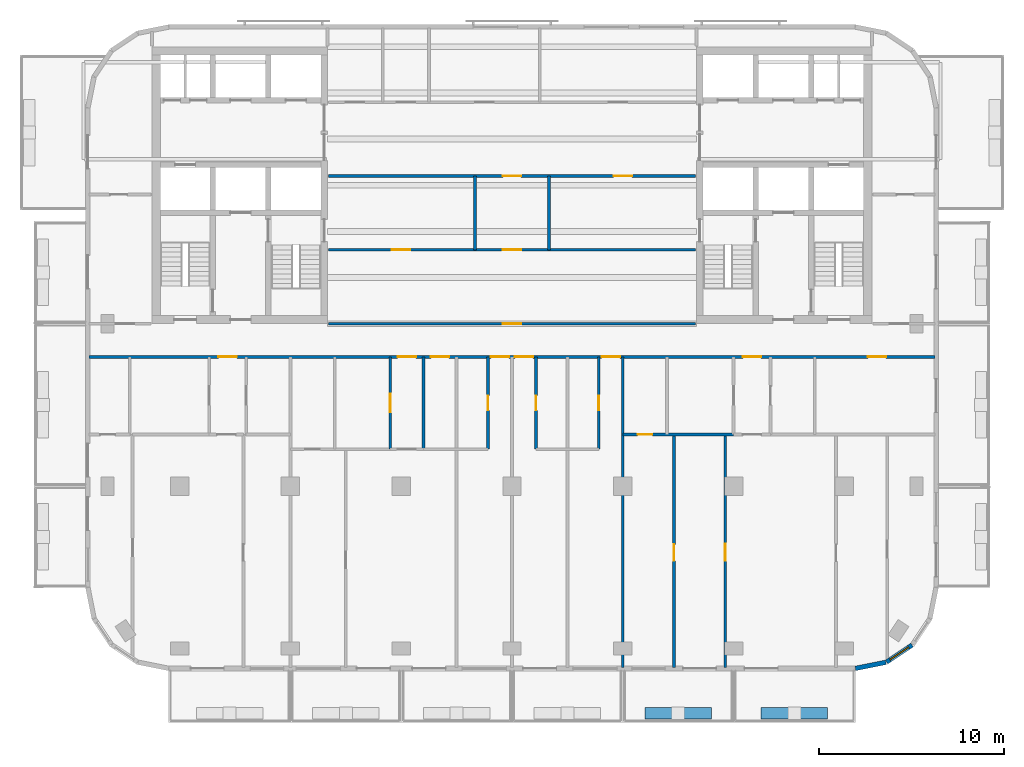
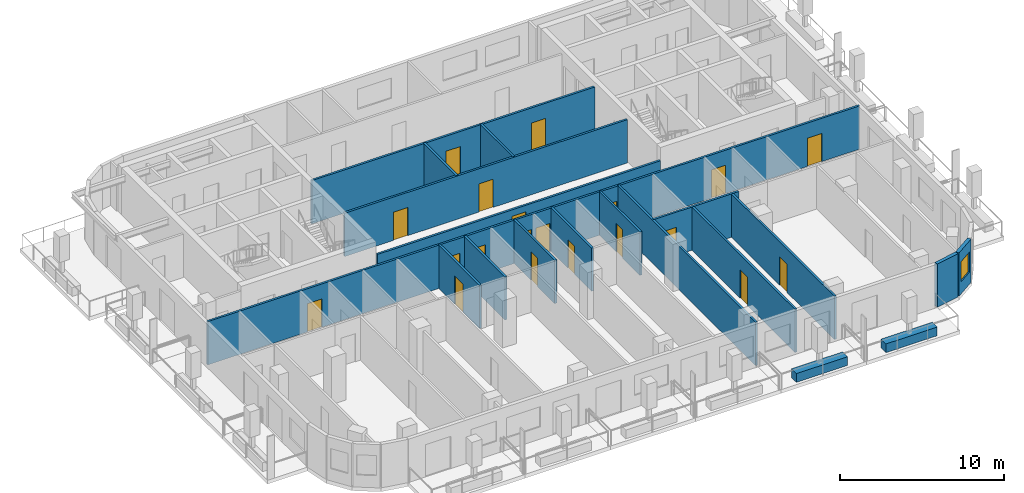
# One storey, part 4 of 11: 20 doors, 19 walls, 1 window, 21 openings.
"""IFC4 building model written with IfcOpenShell, lengths in metres."""

from ifc_helpers import new_model, si_unit, direction, frame, frame_2d, origin, place, context, subcontext, project, spatial, rectangle, extrude, material, layer, layer_set, type_object, element, fill, save


model = new_model("IFC4")

# Units and contexts
model_context = context("Model", 3, precision=1e-05, world=origin(), true_north=direction((0.0, 1.0)))
body_context = subcontext(model_context, "Body", "Model", "MODEL_VIEW")
ifc_project = project(units=[si_unit("LENGTHUNIT", "METRE"), si_unit("AREAUNIT", "SQUARE_METRE"), si_unit("VOLUMEUNIT", "CUBIC_METRE"), si_unit("PLANEANGLEUNIT", "RADIAN"), si_unit("MASSUNIT", "GRAM", prefix="KILO")], contexts=[model_context])

# Site, building, storey
site_placement = place(None, origin())
site = spatial("IfcSite", under=ifc_project, at=site_placement, CompositionType="ELEMENT")
building_placement = place(site_placement, origin())
building = spatial("IfcBuilding", under=site, at=building_placement, Name="Torana Hotel and Residences", CompositionType="ELEMENT")
storey_placement = place(building_placement, frame((0.0, 0.0, 284.10009765625)))
storey = spatial("IfcBuildingStorey", under=building, at=storey_placement, Name="L75", CompositionType="ELEMENT", Elevation=284.10009765625)

# Wall
ifc_material_1 = material(Name="Black aluminium composite panel", Category="aluminium")
ifc_layer_1 = layer(ifc_material_1, 0.00390625, Name="Cladding", Category="cladding")
ifc_material_2 = material(Name="Ventilated air cavity")
ifc_layer_2 = layer(ifc_material_2, 0.0400390625, Name="Ventilated cavity", Category="cavity")
ifc_material_3 = material(Name="Mineral wool insulation")
ifc_layer_3 = layer(ifc_material_3, 0.090087890625, Name="Insulation", Category="insulation")
ifc_material_4 = material(Name="Steel S280GD", Category="steel")
ifc_layer_4 = layer(ifc_material_4, 0.092041015625, Name="Steel stud frame", Category="structure")
ifc_material_5 = material(Name="Fire rated plasterboard")
ifc_layer_5 = layer(ifc_material_5, 0.011962890625, Name="Inner board", Category="finish")
ifc_layer_6 = layer(ifc_material_5, 0.011962890625, Name="Second board", Category="finish")
ifc_layer_set_1 = layer_set([ifc_layer_1, ifc_layer_2, ifc_layer_3, ifc_layer_4, ifc_layer_5, ifc_layer_6], Name="EW1 EXTERNAL WALL BLACK METAL CLAD 250")
wall_type_1 = type_object("IfcWallType", Name="EW1 EXTERNAL WALL BLACK METAL CLAD 250", PredefinedType="SOLIDWALL", material=ifc_layer_set_1)
wall_1_placement = place(storey_placement, frame((18.599853515625, -33.672607421875, 0.0), z_axis=(0.0, 0.0, 1.0), x_axis=(0.980770110232, 0.195166572128, 0.0)))
element("IfcWall", 1, at=wall_1_placement, inside=storey, type_object=wall_type_1, Name="External wall L75 e0.15", PredefinedType="SOLIDWALL", context=body_context, shape_type="SweptSolid", body=[
    extrude(rectangle(XDim=1.68115234375, YDim=0.25, at=frame_2d((0.840576171875, 0.0))), origin(), (0.0, 0.0, 1.0), 3.219970703125),
])

# Wall, opening, window
wall_2_placement = place(storey_placement, frame((20.2939453125, -33.325927734375, 0.0), z_axis=(0.0, 0.0, 1.0), x_axis=(0.831482937015, 0.55555029066, 0.0)))
wall_2 = element("IfcWall", 2, at=wall_2_placement, inside=storey, type_object=wall_type_1, Name="External wall L75 e0.16", PredefinedType="SOLIDWALL", context=body_context, shape_type="SweptSolid", body=[
    extrude(rectangle(XDim=1.65625, YDim=0.25, at=frame_2d((0.828125, 0.0))), origin(), (0.0, 0.0, 1.0), 3.219970703125),
])
opening_1_placement = place(wall_2_placement, frame((0.228271484375, 0.0, 0.89990234375)))
opening_1 = element("IfcOpeningElement", 3, at=opening_1_placement, cuts=wall_2, Name="Opening W5", PredefinedType="OPENING", context=body_context, shape_type="SweptSolid", body=[
    extrude(rectangle(XDim=1.199951171875, YDim=1.5, at=frame_2d((0.60009765625, 0.75))), frame((0.0, 0.135009765625, 0.0), z_axis=(0.0, -1.0, 0.0), x_axis=(1.0, 0.0, 0.0)), (0.0, 0.0, 1.0), 0.27001953125),
])
ifc_material_6 = material(Name="Dark glass in black aluminium frame", Category="aluminium")
window_type = type_object("IfcWindowType", Name="W5 CORNER FACET WINDOW 1200x1500", PartitioningType="SINGLE_PANEL", PredefinedType="WINDOW", material=ifc_material_6)
window_placement = place(opening_1_placement, origin())
window = element("IfcWindow", 4, at=window_placement, inside=storey, type_object=window_type, Name="Window L75 e0.16", OverallHeight=1.5, OverallWidth=1.199951171875, PartitioningType="SINGLE_PANEL", PredefinedType="WINDOW", context=body_context, shape_type="SweptSolid", body=[
    extrude(rectangle(XDim=1.199951171875, YDim=1.5, at=frame_2d((0.60009765625, 0.75))), frame((0.0, 0.030029296875, 0.0), z_axis=(0.0, -1.0, 0.0), x_axis=(1.0, 0.0, 0.0)), (0.0, 0.0, 1.0), 0.06005859375),
])
fill(opening_1, window)

# Walls
ifc_material_7 = material(Name="Gypsum plaster")
ifc_layer_7 = layer(ifc_material_7, 0.014892578125, Name="Plaster", Category="finish")
ifc_material_8 = material(Name="Concrete blockwork", Category="masonry")
ifc_layer_8 = layer(ifc_material_8, 0.1201171875, Name="Blockwork", Category="structure")
ifc_layer_9 = layer(ifc_material_7, 0.014892578125, Name="Plaster", Category="finish")
ifc_layer_set_2 = layer_set([ifc_layer_7, ifc_layer_8, ifc_layer_9], Name="FIRE PARTITION 150 BLOCKWORK")
wall_type_2 = type_object("IfcWallType", Name="FIRE PARTITION 150 BLOCKWORK", PredefinedType="PARTITIONING", material=ifc_layer_set_2)
for number, where, z_axis, x_axis, name in (
    (5, (2.0, -11.0, 0.0), (0.0, 0.0, 1.0), (0.0, 1.0, 0.0), "Partition L75"),
    (6, (-2.0, -11.0, 0.0), (0.0, 0.0, 1.0), (0.0, 1.0, 0.0), "Partition L75"),
):
    element("IfcWall", number, at=place(storey_placement, frame(where, z_axis=z_axis, x_axis=x_axis)), inside=storey, type_object=wall_type_2, Name=name, PredefinedType="PARTITIONING", context=body_context, shape_type="SweptSolid", body=[
        extrude(rectangle(XDim=4.0, YDim=0.14990234375, at=frame_2d((2.0, 0.0))), origin(), (0.0, 0.0, 1.0), 3.219970703125),
    ])
wall_3_placement = place(storey_placement, frame((-4.800048828125, -21.800048828125, 0.0), z_axis=(0.0, 0.0, 1.0), x_axis=(0.0, 1.0, 0.0)))
element("IfcWall", 7, at=wall_3_placement, inside=storey, type_object=wall_type_2, Name="Partition L75", PredefinedType="PARTITIONING", context=body_context, shape_type="SweptSolid", body=[
    extrude(rectangle(XDim=5.0, YDim=0.14990234375, at=frame_2d((2.5, 0.0))), origin(), (0.0, 0.0, 1.0), 3.219970703125),
])

# Wall, opening, door
wall_4_placement = place(storey_placement, frame((-6.60009765625, -21.800048828125, 0.0), z_axis=(0.0, 0.0, 1.0), x_axis=(0.0, 1.0, 0.0)))
wall_4 = element("IfcWall", 8, at=wall_4_placement, inside=storey, type_object=wall_type_2, Name="Partition L75", PredefinedType="PARTITIONING", context=body_context, shape_type="SweptSolid", body=[
    extrude(rectangle(XDim=5.0, YDim=0.14990234375, at=frame_2d((2.5, 0.0))), origin(), (0.0, 0.0, 1.0), 3.219970703125),
])
opening_2_placement = place(wall_4_placement, frame((2.0, 0.0, 0.0)))
opening_2 = element("IfcOpeningElement", 9, at=opening_2_placement, cuts=wall_4, Name="Opening L75-39", PredefinedType="OPENING", context=body_context, shape_type="SweptSolid", body=[
    extrude(rectangle(XDim=1.0, YDim=2.10009765625, at=frame_2d((0.5, 1.050048828125))), frame((0.0, 0.0849609375, 0.0), z_axis=(0.0, -1.0, 0.0), x_axis=(1.0, 0.0, 0.0)), (0.0, 0.0, 1.0), 0.169921875),
])
ifc_material_9 = material(Name="Steel S235", Category="steel")
door_type_1 = type_object("IfcDoorType", Name="ENTRY FIRE DOOR D6 1000x2100", OperationType="SINGLE_SWING_LEFT", PredefinedType="DOOR", material=ifc_material_9)
door_1_placement = place(opening_2_placement, origin())
door_1 = element("IfcDoor", 10, at=door_1_placement, inside=storey, type_object=door_type_1, Name="Door L75", OperationType="SINGLE_SWING_RIGHT", OverallHeight=2.10009765625, OverallWidth=1.0, PredefinedType="DOOR", context=body_context, shape_type="SweptSolid", body=[
    extrude(rectangle(XDim=1.0, YDim=2.10009765625, at=frame_2d((0.5, 1.050048828125))), frame((0.0, 0.02490234375, 0.0), z_axis=(0.0, -1.0, 0.0), x_axis=(1.0, 0.0, 0.0)), (0.0, 0.0, 1.0), 0.050048828125),
])
fill(opening_2, door_1)

# Wall, openings, doors
wall_5_placement = place(storey_placement, frame((-22.919921875, -16.800048828125, 0.0), z_axis=(0.0, 0.0, 1.0), x_axis=(1.0, 0.0, 0.0)))
wall_5 = element("IfcWall", 11, at=wall_5_placement, inside=storey, type_object=wall_type_2, Name="Partition L75", PredefinedType="PARTITIONING", context=body_context, shape_type="SweptSolid", body=[
    extrude(rectangle(XDim=45.83984375, YDim=0.14990234375, at=frame_2d((22.919921875, 0.0))), origin(), (0.0, 0.0, 1.0), 3.219970703125),
])
opening_3_placement = place(wall_5_placement, frame((16.719970703125, 0.0, 0.0)))
opening_3 = element("IfcOpeningElement", 12, at=opening_3_placement, cuts=wall_5, Name="Opening L75-20", PredefinedType="OPENING", context=body_context, shape_type="SweptSolid", body=[
    extrude(rectangle(XDim=1.0, YDim=2.10009765625, at=frame_2d((0.5, 1.050048828125))), frame((0.0, 0.0849609375, 0.0), z_axis=(0.0, -1.0, 0.0), x_axis=(1.0, 0.0, 0.0)), (0.0, 0.0, 1.0), 0.169921875),
])
opening_4_placement = place(wall_5_placement, frame((18.52001953125, 0.0, 0.0)))
opening_4 = element("IfcOpeningElement", 13, at=opening_4_placement, cuts=wall_5, Name="Opening L75-21", PredefinedType="OPENING", context=body_context, shape_type="SweptSolid", body=[
    extrude(rectangle(XDim=1.0, YDim=2.10009765625, at=frame_2d((0.5, 1.050048828125))), frame((0.0, 0.0849609375, 0.0), z_axis=(0.0, -1.0, 0.0), x_axis=(1.0, 0.0, 0.0)), (0.0, 0.0, 1.0), 0.169921875),
])
opening_5_placement = place(wall_5_placement, frame((21.77001953125, 0.0, 0.0)))
opening_5 = element("IfcOpeningElement", 14, at=opening_5_placement, cuts=wall_5, Name="Opening L75-22", PredefinedType="OPENING", context=body_context, shape_type="SweptSolid", body=[
    extrude(rectangle(XDim=1.0, YDim=2.10009765625, at=frame_2d((0.5, 1.050048828125))), frame((0.0, 0.0849609375, 0.0), z_axis=(0.0, -1.0, 0.0), x_axis=(1.0, 0.0, 0.0)), (0.0, 0.0, 1.0), 0.169921875),
])
opening_6_placement = place(wall_5_placement, frame((23.070068359375, 0.0, 0.0)))
opening_6 = element("IfcOpeningElement", 15, at=opening_6_placement, cuts=wall_5, Name="Opening L75-23", PredefinedType="OPENING", context=body_context, shape_type="SweptSolid", body=[
    extrude(rectangle(XDim=1.0, YDim=2.10009765625, at=frame_2d((0.5, 1.050048828125))), frame((0.0, 0.0849609375, 0.0), z_axis=(0.0, -1.0, 0.0), x_axis=(1.0, 0.0, 0.0)), (0.0, 0.0, 1.0), 0.169921875),
])
opening_7_placement = place(wall_5_placement, frame((27.77001953125, 0.0, 0.0)))
opening_7 = element("IfcOpeningElement", 16, at=opening_7_placement, cuts=wall_5, Name="Opening L75-24", PredefinedType="OPENING", context=body_context, shape_type="SweptSolid", body=[
    extrude(rectangle(XDim=1.0, YDim=2.10009765625, at=frame_2d((0.5, 1.050048828125))), frame((0.0, 0.0849609375, 0.0), z_axis=(0.0, -1.0, 0.0), x_axis=(1.0, 0.0, 0.0)), (0.0, 0.0, 1.0), 0.169921875),
])
opening_8_placement = place(wall_5_placement, frame((7.02001953125, 0.0, 0.0)))
opening_8 = element("IfcOpeningElement", 17, at=opening_8_placement, cuts=wall_5, Name="Opening L75-25", PredefinedType="OPENING", context=body_context, shape_type="SweptSolid", body=[
    extrude(rectangle(XDim=1.0, YDim=2.10009765625, at=frame_2d((0.5, 1.050048828125))), frame((0.0, 0.0849609375, 0.0), z_axis=(0.0, -1.0, 0.0), x_axis=(1.0, 0.0, 0.0)), (0.0, 0.0, 1.0), 0.169921875),
])
opening_9_placement = place(wall_5_placement, frame((35.419921875, 0.0, 0.0)))
opening_9 = element("IfcOpeningElement", 18, at=opening_9_placement, cuts=wall_5, Name="Opening L75-26", PredefinedType="OPENING", context=body_context, shape_type="SweptSolid", body=[
    extrude(rectangle(XDim=1.0, YDim=2.10009765625, at=frame_2d((0.5, 1.050048828125))), frame((0.0, 0.0849609375, 0.0), z_axis=(0.0, -1.0, 0.0), x_axis=(1.0, 0.0, 0.0)), (0.0, 0.0, 1.0), 0.169921875),
])
opening_10_placement = place(wall_5_placement, frame((42.18994140625, 0.0, 0.0)))
opening_10 = element("IfcOpeningElement", 19, at=opening_10_placement, cuts=wall_5, Name="Opening L75-27", PredefinedType="OPENING", context=body_context, shape_type="SweptSolid", body=[
    extrude(rectangle(XDim=1.0, YDim=2.10009765625, at=frame_2d((0.5, 1.050048828125))), frame((0.0, 0.0849609375, 0.0), z_axis=(0.0, -1.0, 0.0), x_axis=(1.0, 0.0, 0.0)), (0.0, 0.0, 1.0), 0.169921875),
])
door_2_placement = place(opening_3_placement, origin())
door_2 = element("IfcDoor", 20, at=door_2_placement, inside=storey, type_object=door_type_1, Name="Door L75", OperationType="SINGLE_SWING_RIGHT", OverallHeight=2.10009765625, OverallWidth=1.0, PredefinedType="DOOR", context=body_context, shape_type="SweptSolid", body=[
    extrude(rectangle(XDim=1.0, YDim=2.10009765625, at=frame_2d((0.5, 1.050048828125))), frame((0.0, 0.02490234375, 0.0), z_axis=(0.0, -1.0, 0.0), x_axis=(1.0, 0.0, 0.0)), (0.0, 0.0, 1.0), 0.050048828125),
])
fill(opening_3, door_2)
door_3_placement = place(opening_4_placement, frame((0.5, 0.0, 0.0), z_axis=(0.0, 0.0, 1.0), x_axis=(-1.0, 0.0, 0.0)))
door_3 = element("IfcDoor", 21, at=door_3_placement, inside=storey, type_object=door_type_1, Name="Door L75", OperationType="SINGLE_SWING_LEFT", OverallHeight=2.10009765625, OverallWidth=1.0, PredefinedType="DOOR", context=body_context, shape_type="SweptSolid", body=[
    extrude(rectangle(XDim=1.0, YDim=2.10009765625, at=frame_2d((0.0, 1.050048828125))), frame((0.0, -0.02490234375, 0.0), z_axis=(0.0, 1.0, 0.0), x_axis=(-1.0, 0.0, 0.0)), (0.0, 0.0, 1.0), 0.050048828125),
])
fill(opening_4, door_3)
door_4_placement = place(opening_5_placement, frame((0.5, 0.0, 0.0), z_axis=(0.0, 0.0, 1.0), x_axis=(-1.0, 0.0, 0.0)))
door_4 = element("IfcDoor", 22, at=door_4_placement, inside=storey, type_object=door_type_1, Name="Door L75", OperationType="SINGLE_SWING_LEFT", OverallHeight=2.10009765625, OverallWidth=1.0, PredefinedType="DOOR", context=body_context, shape_type="SweptSolid", body=[
    extrude(rectangle(XDim=1.0, YDim=2.10009765625, at=frame_2d((0.0, 1.050048828125))), frame((0.0, -0.02490234375, 0.0), z_axis=(0.0, 1.0, 0.0), x_axis=(-1.0, 0.0, 0.0)), (0.0, 0.0, 1.0), 0.050048828125),
])
fill(opening_5, door_4)
door_5_placement = place(opening_6_placement, frame((0.5, 0.0, 0.0), z_axis=(0.0, 0.0, 1.0), x_axis=(-1.0, 0.0, 0.0)))
door_5 = element("IfcDoor", 23, at=door_5_placement, inside=storey, type_object=door_type_1, Name="Door L75", OperationType="SINGLE_SWING_LEFT", OverallHeight=2.10009765625, OverallWidth=1.0, PredefinedType="DOOR", context=body_context, shape_type="SweptSolid", body=[
    extrude(rectangle(XDim=1.0, YDim=2.10009765625, at=frame_2d((0.0, 1.050048828125))), frame((0.0, -0.02490234375, 0.0), z_axis=(0.0, 1.0, 0.0), x_axis=(-1.0, 0.0, 0.0)), (0.0, 0.0, 1.0), 0.050048828125),
])
fill(opening_6, door_5)
door_6_placement = place(opening_7_placement, frame((0.5, 0.0, 0.0), z_axis=(0.0, 0.0, 1.0), x_axis=(-1.0, 0.0, 0.0)))
door_6 = element("IfcDoor", 24, at=door_6_placement, inside=storey, type_object=door_type_1, Name="Door L75", OperationType="SINGLE_SWING_LEFT", OverallHeight=2.10009765625, OverallWidth=1.0, PredefinedType="DOOR", context=body_context, shape_type="SweptSolid", body=[
    extrude(rectangle(XDim=1.0, YDim=2.10009765625, at=frame_2d((0.0, 1.050048828125))), frame((0.0, -0.02490234375, 0.0), z_axis=(0.0, 1.0, 0.0), x_axis=(-1.0, 0.0, 0.0)), (0.0, 0.0, 1.0), 0.050048828125),
])
fill(opening_7, door_6)
door_7_placement = place(opening_8_placement, origin())
door_7 = element("IfcDoor", 25, at=door_7_placement, inside=storey, type_object=door_type_1, Name="Door L75", OperationType="SINGLE_SWING_RIGHT", OverallHeight=2.10009765625, OverallWidth=1.0, PredefinedType="DOOR", context=body_context, shape_type="SweptSolid", body=[
    extrude(rectangle(XDim=1.0, YDim=2.10009765625, at=frame_2d((0.5, 1.050048828125))), frame((0.0, 0.02490234375, 0.0), z_axis=(0.0, -1.0, 0.0), x_axis=(1.0, 0.0, 0.0)), (0.0, 0.0, 1.0), 0.050048828125),
])
fill(opening_8, door_7)
door_8_placement = place(opening_9_placement, origin())
door_8 = element("IfcDoor", 26, at=door_8_placement, inside=storey, type_object=door_type_1, Name="Door L75", OperationType="SINGLE_SWING_RIGHT", OverallHeight=2.10009765625, OverallWidth=1.0, PredefinedType="DOOR", context=body_context, shape_type="SweptSolid", body=[
    extrude(rectangle(XDim=1.0, YDim=2.10009765625, at=frame_2d((0.5, 1.050048828125))), frame((0.0, 0.02490234375, 0.0), z_axis=(0.0, -1.0, 0.0), x_axis=(1.0, 0.0, 0.0)), (0.0, 0.0, 1.0), 0.050048828125),
])
fill(opening_9, door_8)
door_9_placement = place(opening_10_placement, frame((0.5, 0.0, 0.0), z_axis=(0.0, 0.0, 1.0), x_axis=(-1.0, 0.0, 0.0)))
door_9 = element("IfcDoor", 27, at=door_9_placement, inside=storey, type_object=door_type_1, Name="Door L75", OperationType="SINGLE_SWING_LEFT", OverallHeight=2.10009765625, OverallWidth=1.0, PredefinedType="DOOR", context=body_context, shape_type="SweptSolid", body=[
    extrude(rectangle(XDim=1.0, YDim=2.10009765625, at=frame_2d((0.0, 1.050048828125))), frame((0.0, -0.02490234375, 0.0), z_axis=(0.0, 1.0, 0.0), x_axis=(-1.0, 0.0, 0.0)), (0.0, 0.0, 1.0), 0.050048828125),
])
fill(opening_10, door_9)

# Wall, opening, door
wall_6_placement = place(storey_placement, frame((-9.949951171875, -15.0, 0.0), z_axis=(0.0, 0.0, 1.0), x_axis=(1.0, 0.0, 0.0)))
wall_6 = element("IfcWall", 28, at=wall_6_placement, inside=storey, type_object=wall_type_2, Name="Partition L75", PredefinedType="PARTITIONING", context=body_context, shape_type="SweptSolid", body=[
    extrude(rectangle(XDim=19.89990234375, YDim=0.14990234375, at=frame_2d((9.949951171875, 0.0))), origin(), (0.0, 0.0, 1.0), 2.583984375),
])
opening_11_placement = place(wall_6_placement, frame((9.449951171875, 0.0, 0.0)))
opening_11 = element("IfcOpeningElement", 29, at=opening_11_placement, cuts=wall_6, Name="Opening L75-19", PredefinedType="OPENING", context=body_context, shape_type="SweptSolid", body=[
    extrude(rectangle(XDim=1.0, YDim=2.10009765625, at=frame_2d((0.5, 1.050048828125))), frame((0.0, 0.0849609375, 0.0), z_axis=(0.0, -1.0, 0.0), x_axis=(1.0, 0.0, 0.0)), (0.0, 0.0, 1.0), 0.169921875),
])
door_10_placement = place(opening_11_placement, origin())
door_10 = element("IfcDoor", 30, at=door_10_placement, inside=storey, type_object=door_type_1, Name="Door L75", OperationType="SINGLE_SWING_RIGHT", OverallHeight=2.10009765625, OverallWidth=1.0, PredefinedType="DOOR", context=body_context, shape_type="SweptSolid", body=[
    extrude(rectangle(XDim=1.0, YDim=2.10009765625, at=frame_2d((0.5, 1.050048828125))), frame((0.0, 0.02490234375, 0.0), z_axis=(0.0, -1.0, 0.0), x_axis=(1.0, 0.0, 0.0)), (0.0, 0.0, 1.0), 0.050048828125),
])
fill(opening_11, door_10)

# Wall, openings, doors
wall_7_placement = place(storey_placement, frame((-9.949951171875, -11.0, 0.0), z_axis=(0.0, 0.0, 1.0), x_axis=(1.0, 0.0, 0.0)))
wall_7 = element("IfcWall", 31, at=wall_7_placement, inside=storey, type_object=wall_type_2, Name="Partition L75", PredefinedType="PARTITIONING", context=body_context, shape_type="SweptSolid", body=[
    extrude(rectangle(XDim=19.89990234375, YDim=0.14990234375, at=frame_2d((9.949951171875, 0.0))), origin(), (0.0, 0.0, 1.0), 3.219970703125),
])
opening_12_placement = place(wall_7_placement, frame((9.449951171875, 0.0, 0.0)))
opening_12 = element("IfcOpeningElement", 32, at=opening_12_placement, cuts=wall_7, Name="Opening L75-30", PredefinedType="OPENING", context=body_context, shape_type="SweptSolid", body=[
    extrude(rectangle(XDim=1.0, YDim=2.10009765625, at=frame_2d((0.5, 1.050048828125))), frame((0.0, 0.0849609375, 0.0), z_axis=(0.0, -1.0, 0.0), x_axis=(1.0, 0.0, 0.0)), (0.0, 0.0, 1.0), 0.169921875),
])
opening_13_placement = place(wall_7_placement, frame((3.449951171875, 0.0, 0.0)))
opening_13 = element("IfcOpeningElement", 33, at=opening_13_placement, cuts=wall_7, Name="Opening L75-31", PredefinedType="OPENING", context=body_context, shape_type="SweptSolid", body=[
    extrude(rectangle(XDim=1.0, YDim=2.10009765625, at=frame_2d((0.5, 1.050048828125))), frame((0.0, 0.0849609375, 0.0), z_axis=(0.0, -1.0, 0.0), x_axis=(1.0, 0.0, 0.0)), (0.0, 0.0, 1.0), 0.169921875),
])
door_11_placement = place(opening_12_placement, origin())
door_11 = element("IfcDoor", 34, at=door_11_placement, inside=storey, type_object=door_type_1, Name="Door L75", OperationType="SINGLE_SWING_RIGHT", OverallHeight=2.10009765625, OverallWidth=1.0, PredefinedType="DOOR", context=body_context, shape_type="SweptSolid", body=[
    extrude(rectangle(XDim=1.0, YDim=2.10009765625, at=frame_2d((0.5, 1.050048828125))), frame((0.0, 0.02490234375, 0.0), z_axis=(0.0, -1.0, 0.0), x_axis=(1.0, 0.0, 0.0)), (0.0, 0.0, 1.0), 0.050048828125),
])
fill(opening_12, door_11)
door_12_placement = place(opening_13_placement, origin())
door_12 = element("IfcDoor", 35, at=door_12_placement, inside=storey, type_object=door_type_1, Name="Door L75", OperationType="SINGLE_SWING_RIGHT", OverallHeight=2.10009765625, OverallWidth=1.0, PredefinedType="DOOR", context=body_context, shape_type="SweptSolid", body=[
    extrude(rectangle(XDim=1.0, YDim=2.10009765625, at=frame_2d((0.5, 1.050048828125))), frame((0.0, 0.02490234375, 0.0), z_axis=(0.0, -1.0, 0.0), x_axis=(1.0, 0.0, 0.0)), (0.0, 0.0, 1.0), 0.050048828125),
])
fill(opening_13, door_12)

wall_8_placement = place(storey_placement, frame((-9.949951171875, -7.0, 0.0), z_axis=(0.0, 0.0, 1.0), x_axis=(1.0, 0.0, 0.0)))
wall_8 = element("IfcWall", 36, at=wall_8_placement, inside=storey, type_object=wall_type_2, Name="Partition L75", PredefinedType="PARTITIONING", context=body_context, shape_type="SweptSolid", body=[
    extrude(rectangle(XDim=19.89990234375, YDim=0.14990234375, at=frame_2d((9.949951171875, 0.0))), origin(), (0.0, 0.0, 1.0), 3.219970703125),
])
opening_14_placement = place(wall_8_placement, frame((9.449951171875, 0.0, 0.0)))
opening_14 = element("IfcOpeningElement", 37, at=opening_14_placement, cuts=wall_8, Name="Opening L75-32", PredefinedType="OPENING", context=body_context, shape_type="SweptSolid", body=[
    extrude(rectangle(XDim=1.0, YDim=2.10009765625, at=frame_2d((0.5, 1.050048828125))), frame((0.0, 0.0849609375, 0.0), z_axis=(0.0, -1.0, 0.0), x_axis=(1.0, 0.0, 0.0)), (0.0, 0.0, 1.0), 0.169921875),
])
opening_15_placement = place(wall_8_placement, frame((15.449951171875, 0.0, 0.0)))
opening_15 = element("IfcOpeningElement", 38, at=opening_15_placement, cuts=wall_8, Name="Opening L75-33", PredefinedType="OPENING", context=body_context, shape_type="SweptSolid", body=[
    extrude(rectangle(XDim=1.0, YDim=2.10009765625, at=frame_2d((0.5, 1.050048828125))), frame((0.0, 0.0849609375, 0.0), z_axis=(0.0, -1.0, 0.0), x_axis=(1.0, 0.0, 0.0)), (0.0, 0.0, 1.0), 0.169921875),
])
door_13_placement = place(opening_14_placement, origin())
door_13 = element("IfcDoor", 39, at=door_13_placement, inside=storey, type_object=door_type_1, Name="Door L75", OperationType="SINGLE_SWING_RIGHT", OverallHeight=2.10009765625, OverallWidth=1.0, PredefinedType="DOOR", context=body_context, shape_type="SweptSolid", body=[
    extrude(rectangle(XDim=1.0, YDim=2.10009765625, at=frame_2d((0.5, 1.050048828125))), frame((0.0, 0.02490234375, 0.0), z_axis=(0.0, -1.0, 0.0), x_axis=(1.0, 0.0, 0.0)), (0.0, 0.0, 1.0), 0.050048828125),
])
fill(opening_14, door_13)
door_14_placement = place(opening_15_placement, frame((0.5, 0.0, 0.0), z_axis=(0.0, 0.0, 1.0), x_axis=(-1.0, 0.0, 0.0)))
door_14 = element("IfcDoor", 40, at=door_14_placement, inside=storey, type_object=door_type_1, Name="Door L75", OperationType="SINGLE_SWING_LEFT", OverallHeight=2.10009765625, OverallWidth=1.0, PredefinedType="DOOR", context=body_context, shape_type="SweptSolid", body=[
    extrude(rectangle(XDim=1.0, YDim=2.10009765625, at=frame_2d((0.0, 1.050048828125))), frame((0.0, -0.02490234375, 0.0), z_axis=(0.0, 1.0, 0.0), x_axis=(-1.0, 0.0, 0.0)), (0.0, 0.0, 1.0), 0.050048828125),
])
fill(opening_15, door_14)

# Wall, opening, door
ifc_material_10 = material(Name="Gypsum plasterboard")
ifc_layer_10 = layer(ifc_material_10, 0.012451171875, Name="Plasterboard", Category="finish")
ifc_layer_11 = layer(ifc_material_10, 0.012451171875, Name="Plasterboard", Category="finish")
ifc_layer_12 = layer(ifc_material_4, 0.10009765625, Name="Steel studs with mineral wool", Category="insulation")
ifc_layer_13 = layer(ifc_material_10, 0.012451171875, Name="Plasterboard", Category="finish")
ifc_layer_14 = layer(ifc_material_10, 0.012451171875, Name="Plasterboard", Category="finish")
ifc_layer_set_3 = layer_set([ifc_layer_10, ifc_layer_11, ifc_layer_12, ifc_layer_13, ifc_layer_14], Name="PARTITION 150 PLASTERBOARD")
wall_type_3 = type_object("IfcWallType", Name="PARTITION 150 PLASTERBOARD", PredefinedType="PARTITIONING", material=ifc_layer_set_3)
wall_9_placement = place(storey_placement, frame((11.550048828125, -33.6201171875, 0.0), z_axis=(0.0, 0.0, 1.0), x_axis=(0.0, 1.0, 0.0)))
wall_9 = element("IfcWall", 41, at=wall_9_placement, inside=storey, type_object=wall_type_3, Name="Partition L75", PredefinedType="PARTITIONING", context=body_context, shape_type="SweptSolid", body=[
    extrude(rectangle(XDim=12.6201171875, YDim=0.14990234375, at=frame_2d((6.31005859375, 0.0))), origin(), (0.0, 0.0, 1.0), 3.219970703125),
])
opening_16_placement = place(wall_9_placement, frame((5.7900390625, 0.0, 0.0)))
opening_16 = element("IfcOpeningElement", 42, at=opening_16_placement, cuts=wall_9, Name="Opening L75-55", PredefinedType="OPENING", context=body_context, shape_type="SweptSolid", body=[
    extrude(rectangle(XDim=0.89990234375, YDim=2.10009765625, at=frame_2d((0.449951171875, 1.050048828125))), frame((0.0, 0.0849609375, 0.0), z_axis=(0.0, -1.0, 0.0), x_axis=(1.0, 0.0, 0.0)), (0.0, 0.0, 1.0), 0.169921875),
])
ifc_material_11 = material(Name="Timber door, oiled ash", Category="wood")
door_type_2 = type_object("IfcDoorType", Name="ROOM DOOR D7 900x2100", OperationType="SINGLE_SWING_LEFT", PredefinedType="DOOR", material=ifc_material_11)
door_15_placement = place(opening_16_placement, origin())
door_15 = element("IfcDoor", 43, at=door_15_placement, inside=storey, type_object=door_type_2, Name="Door L75", OperationType="SINGLE_SWING_RIGHT", OverallHeight=2.10009765625, OverallWidth=0.89990234375, PredefinedType="DOOR", context=body_context, shape_type="SweptSolid", body=[
    extrude(rectangle(XDim=0.89990234375, YDim=2.10009765625, at=frame_2d((0.449951171875, 1.050048828125))), frame((0.0, 0.02490234375, 0.0), z_axis=(0.0, -1.0, 0.0), x_axis=(1.0, 0.0, 0.0)), (0.0, 0.0, 1.0), 0.050048828125),
])
fill(opening_16, door_15)

wall_10_placement = place(storey_placement, frame((8.77490234375, -33.6201171875, 0.0), z_axis=(0.0, 0.0, 1.0), x_axis=(0.0, 1.0, 0.0)))
wall_10 = element("IfcWall", 44, at=wall_10_placement, inside=storey, type_object=wall_type_3, Name="Partition L75", PredefinedType="PARTITIONING", context=body_context, shape_type="SweptSolid", body=[
    extrude(rectangle(XDim=12.6201171875, YDim=0.14990234375, at=frame_2d((6.31005859375, 0.0))), origin(), (0.0, 0.0, 1.0), 3.219970703125),
])
opening_17_placement = place(wall_10_placement, frame((5.77001953125, 0.0, 0.0)))
opening_17 = element("IfcOpeningElement", 45, at=opening_17_placement, cuts=wall_10, Name="Opening L75-57", PredefinedType="OPENING", context=body_context, shape_type="SweptSolid", body=[
    extrude(rectangle(XDim=0.89990234375, YDim=2.10009765625, at=frame_2d((0.449951171875, 1.050048828125))), frame((0.0, 0.0849609375, 0.0), z_axis=(0.0, -1.0, 0.0), x_axis=(1.0, 0.0, 0.0)), (0.0, 0.0, 1.0), 0.169921875),
])
door_16_placement = place(opening_17_placement, origin())
door_16 = element("IfcDoor", 46, at=door_16_placement, inside=storey, type_object=door_type_2, Name="Door L75", OperationType="SINGLE_SWING_RIGHT", OverallHeight=2.10009765625, OverallWidth=0.89990234375, PredefinedType="DOOR", context=body_context, shape_type="SweptSolid", body=[
    extrude(rectangle(XDim=0.89990234375, YDim=2.10009765625, at=frame_2d((0.449951171875, 1.050048828125))), frame((0.0, 0.02490234375, 0.0), z_axis=(0.0, -1.0, 0.0), x_axis=(1.0, 0.0, 0.0)), (0.0, 0.0, 1.0), 0.050048828125),
])
fill(opening_17, door_16)

# Wall
wall_11_placement = place(storey_placement, frame((6.0, -33.6201171875, 0.0), z_axis=(0.0, 0.0, 1.0), x_axis=(0.0, 1.0, 0.0)))
element("IfcWall", 47, at=wall_11_placement, inside=storey, type_object=wall_type_3, Name="Partition L75", PredefinedType="PARTITIONING", context=body_context, shape_type="SweptSolid", body=[
    extrude(rectangle(XDim=16.820068359375, YDim=0.14990234375, at=frame_2d((8.41015625, 0.0))), origin(), (0.0, 0.0, 1.0), 3.219970703125),
])

# Wall, opening, door
wall_12_placement = place(storey_placement, frame((4.699951171875, -21.800048828125, 0.0), z_axis=(0.0, 0.0, 1.0), x_axis=(0.0, 1.0, 0.0)))
wall_12 = element("IfcWall", 48, at=wall_12_placement, inside=storey, type_object=wall_type_3, Name="Partition L75", PredefinedType="PARTITIONING", context=body_context, shape_type="SweptSolid", body=[
    extrude(rectangle(XDim=5.0, YDim=0.14990234375, at=frame_2d((2.5, 0.0))), origin(), (0.0, 0.0, 1.0), 3.219970703125),
])
opening_18_placement = place(wall_12_placement, frame((2.10009765625, 0.0, 0.0)))
opening_18 = element("IfcOpeningElement", 49, at=opening_18_placement, cuts=wall_12, Name="Opening L75-44", PredefinedType="OPENING", context=body_context, shape_type="SweptSolid", body=[
    extrude(rectangle(XDim=0.800048828125, YDim=2.10009765625, at=frame_2d((0.39990234375, 1.050048828125))), frame((0.0, 0.0849609375, 0.0), z_axis=(0.0, -1.0, 0.0), x_axis=(1.0, 0.0, 0.0)), (0.0, 0.0, 1.0), 0.169921875),
])
ifc_material_12 = material(Name="Timber door, painted", Category="wood")
door_type_3 = type_object("IfcDoorType", Name="BATH DOOR D13 800x2100", OperationType="SINGLE_SWING_LEFT", PredefinedType="DOOR", material=ifc_material_12)
door_17_placement = place(opening_18_placement, origin())
door_17 = element("IfcDoor", 50, at=door_17_placement, inside=storey, type_object=door_type_3, Name="Door L75", OperationType="SINGLE_SWING_RIGHT", OverallHeight=2.10009765625, OverallWidth=0.800048828125, PredefinedType="DOOR", context=body_context, shape_type="SweptSolid", body=[
    extrude(rectangle(XDim=0.800048828125, YDim=2.10009765625, at=frame_2d((0.39990234375, 1.050048828125))), frame((0.0, 0.02490234375, 0.0), z_axis=(0.0, -1.0, 0.0), x_axis=(1.0, 0.0, 0.0)), (0.0, 0.0, 1.0), 0.050048828125),
])
fill(opening_18, door_17)

wall_13_placement = place(storey_placement, frame((1.300048828125, -21.800048828125, 0.0), z_axis=(0.0, 0.0, 1.0), x_axis=(0.0, 1.0, 0.0)))
wall_13 = element("IfcWall", 51, at=wall_13_placement, inside=storey, type_object=wall_type_3, Name="Partition L75", PredefinedType="PARTITIONING", context=body_context, shape_type="SweptSolid", body=[
    extrude(rectangle(XDim=5.0, YDim=0.14990234375, at=frame_2d((2.5, 0.0))), origin(), (0.0, 0.0, 1.0), 3.219970703125),
])
opening_19_placement = place(wall_13_placement, frame((2.10009765625, 0.0, 0.0)))
opening_19 = element("IfcOpeningElement", 52, at=opening_19_placement, cuts=wall_13, Name="Opening L75-43", PredefinedType="OPENING", context=body_context, shape_type="SweptSolid", body=[
    extrude(rectangle(XDim=0.800048828125, YDim=2.10009765625, at=frame_2d((0.39990234375, 1.050048828125))), frame((0.0, 0.0849609375, 0.0), z_axis=(0.0, -1.0, 0.0), x_axis=(1.0, 0.0, 0.0)), (0.0, 0.0, 1.0), 0.169921875),
])
door_18_placement = place(opening_19_placement, origin())
door_18 = element("IfcDoor", 53, at=door_18_placement, inside=storey, type_object=door_type_3, Name="Door L75", OperationType="SINGLE_SWING_RIGHT", OverallHeight=2.10009765625, OverallWidth=0.800048828125, PredefinedType="DOOR", context=body_context, shape_type="SweptSolid", body=[
    extrude(rectangle(XDim=0.800048828125, YDim=2.10009765625, at=frame_2d((0.39990234375, 1.050048828125))), frame((0.0, 0.02490234375, 0.0), z_axis=(0.0, -1.0, 0.0), x_axis=(1.0, 0.0, 0.0)), (0.0, 0.0, 1.0), 0.050048828125),
])
fill(opening_19, door_18)

wall_14_placement = place(storey_placement, frame((-1.300048828125, -21.800048828125, 0.0), z_axis=(0.0, 0.0, 1.0), x_axis=(0.0, 1.0, 0.0)))
wall_14 = element("IfcWall", 54, at=wall_14_placement, inside=storey, type_object=wall_type_3, Name="Partition L75", PredefinedType="PARTITIONING", context=body_context, shape_type="SweptSolid", body=[
    extrude(rectangle(XDim=5.0, YDim=0.14990234375, at=frame_2d((2.5, 0.0))), origin(), (0.0, 0.0, 1.0), 3.219970703125),
])
opening_20_placement = place(wall_14_placement, frame((2.10009765625, 0.0, 0.0)))
opening_20 = element("IfcOpeningElement", 55, at=opening_20_placement, cuts=wall_14, Name="Opening L75-42", PredefinedType="OPENING", context=body_context, shape_type="SweptSolid", body=[
    extrude(rectangle(XDim=0.800048828125, YDim=2.10009765625, at=frame_2d((0.39990234375, 1.050048828125))), frame((0.0, 0.0849609375, 0.0), z_axis=(0.0, -1.0, 0.0), x_axis=(1.0, 0.0, 0.0)), (0.0, 0.0, 1.0), 0.169921875),
])
door_19_placement = place(opening_20_placement, origin())
door_19 = element("IfcDoor", 56, at=door_19_placement, inside=storey, type_object=door_type_3, Name="Door L75", OperationType="SINGLE_SWING_RIGHT", OverallHeight=2.10009765625, OverallWidth=0.800048828125, PredefinedType="DOOR", context=body_context, shape_type="SweptSolid", body=[
    extrude(rectangle(XDim=0.800048828125, YDim=2.10009765625, at=frame_2d((0.39990234375, 1.050048828125))), frame((0.0, 0.02490234375, 0.0), z_axis=(0.0, -1.0, 0.0), x_axis=(1.0, 0.0, 0.0)), (0.0, 0.0, 1.0), 0.050048828125),
])
fill(opening_20, door_19)

wall_15_placement = place(storey_placement, frame((6.0, -21.0, 0.0), z_axis=(0.0, 0.0, 1.0), x_axis=(1.0, 0.0, 0.0)))
wall_15 = element("IfcWall", 57, at=wall_15_placement, inside=storey, type_object=wall_type_3, Name="Partition L75", PredefinedType="PARTITIONING", context=body_context, shape_type="SweptSolid", body=[
    extrude(rectangle(XDim=6.0, YDim=0.14990234375, at=frame_2d((3.0, 0.0))), origin(), (0.0, 0.0, 1.0), 3.219970703125),
])
opening_21_placement = place(wall_15_placement, frame((0.800048828125, 0.0, 0.0)))
opening_21 = element("IfcOpeningElement", 58, at=opening_21_placement, cuts=wall_15, Name="Opening L75-51", PredefinedType="OPENING", context=body_context, shape_type="SweptSolid", body=[
    extrude(rectangle(XDim=0.800048828125, YDim=2.10009765625, at=frame_2d((0.39990234375, 1.050048828125))), frame((0.0, 0.0849609375, 0.0), z_axis=(0.0, -1.0, 0.0), x_axis=(1.0, 0.0, 0.0)), (0.0, 0.0, 1.0), 0.169921875),
])
door_20_placement = place(opening_21_placement, origin())
door_20 = element("IfcDoor", 59, at=door_20_placement, inside=storey, type_object=door_type_3, Name="Door L75", OperationType="SINGLE_SWING_RIGHT", OverallHeight=2.10009765625, OverallWidth=0.800048828125, PredefinedType="DOOR", context=body_context, shape_type="SweptSolid", body=[
    extrude(rectangle(XDim=0.800048828125, YDim=2.10009765625, at=frame_2d((0.39990234375, 1.050048828125))), frame((0.0, 0.02490234375, 0.0), z_axis=(0.0, -1.0, 0.0), x_axis=(1.0, 0.0, 0.0)), (0.0, 0.0, 1.0), 0.050048828125),
])
fill(opening_21, door_20)

# Walls
ifc_material_13 = material(Name="Concrete C40/50 precast", Category="concrete")
ifc_layer_15 = layer(ifc_material_13, 0.10009765625, Name="Planter shell", Category="structure")
ifc_material_14 = material(Name="Root resistant membrane")
ifc_layer_16 = layer(ifc_material_14, 0.00390625, Name="Waterproofing membrane", Category="membrane")
ifc_material_15 = material(Name="Drainage board with filter fleece")
ifc_layer_17 = layer(ifc_material_15, 0.02001953125, Name="Drainage board", Category="drainage")
ifc_material_16 = material(Name="Growing medium")
ifc_layer_18 = layer(ifc_material_16, 0.47607421875, Name="Planting substrate", Category="soil")
ifc_layer_set_4 = layer_set([ifc_layer_15, ifc_layer_16, ifc_layer_17, ifc_layer_18], Name="PL1 BALCONY PLANTER 600")
wall_type_4 = type_object("IfcWallType", Name="PL1 BALCONY PLANTER 600", PredefinedType="USERDEFINED", material=ifc_layer_set_4)
for number, where, z_axis, x_axis, name in (
    (60, (10.800048828125, -36.10009765625, 0.0), (0.0, 0.0, 1.0), (-1.0, 0.0, 0.0), "Planter 05"),
    (61, (17.10009765625, -36.10009765625, 0.0), (0.0, 0.0, 1.0), (-1.0, 0.0, 0.0), "Planter 06"),
):
    element("IfcWall", number, at=place(storey_placement, frame(where, z_axis=z_axis, x_axis=x_axis)), inside=storey, type_object=wall_type_4, Name=name, ObjectType="PLANTER", PredefinedType="USERDEFINED", context=body_context, shape_type="SweptSolid", body=[
        extrude(rectangle(XDim=3.60009765625, YDim=0.60009765625, at=frame_2d((1.800048828125, 0.0))), origin(), (0.0, 0.0, 1.0), 0.64990234375),
    ])

save(model, "model.ifc")
